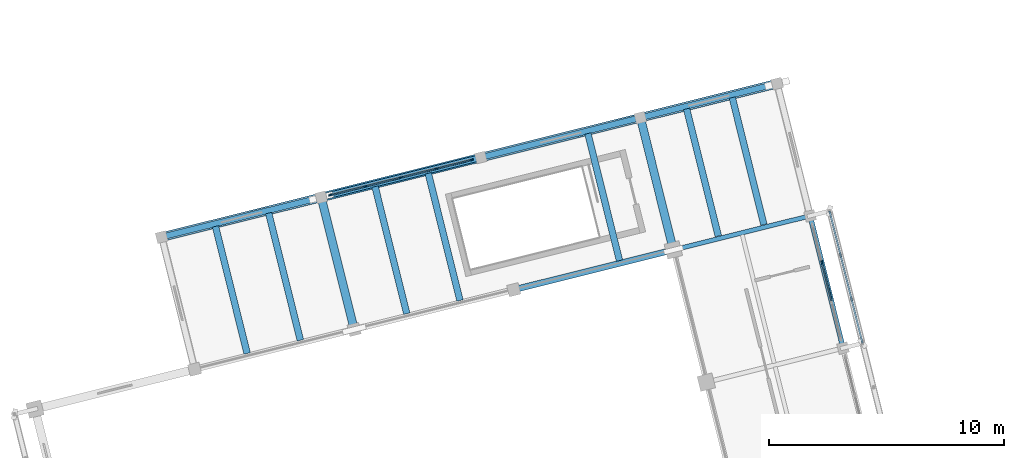
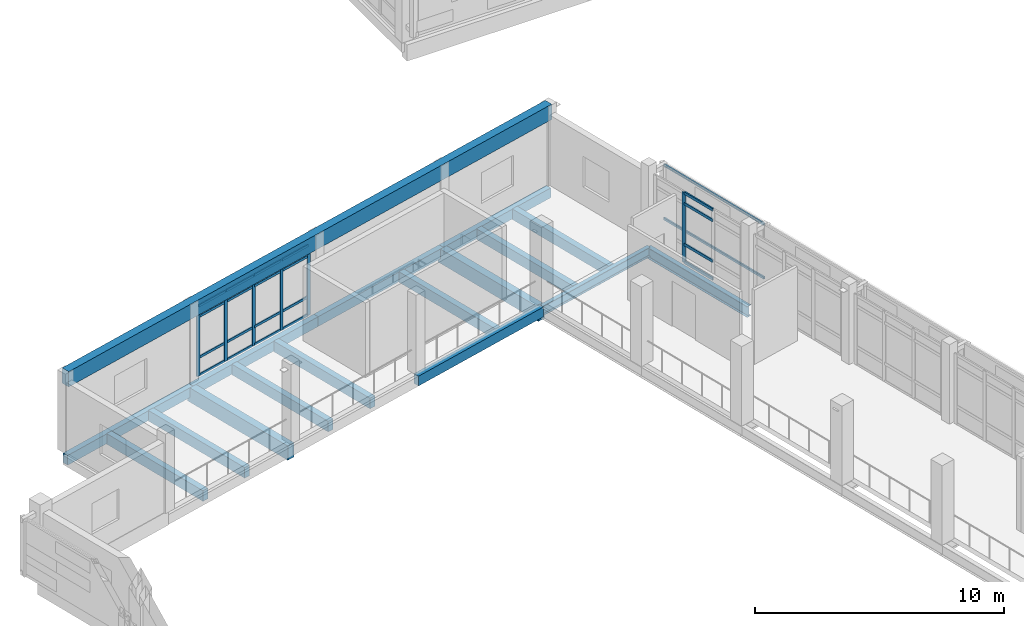
# One storey, part 38 of 117: 28 members, 17 beams, 2 elements without a shape of their own.
"""IFC4 building model written with IfcOpenShell, lengths in metres."""

from ifc_helpers import new_model, si_unit, direction, frame, origin, origin_2d, place, context, subcontext, project, spatial, rectangle, hollow_rectangle, i_section, extrude, material, material_profile, profile_set, type_object, element, aggregate, save


model = new_model("IFC4")

# Units and contexts
model_context = context("Model", 3, precision=1e-05, world=origin(), true_north=direction((0.0, 1.0)))
body_context = subcontext(model_context, "Body", "Model", "MODEL_VIEW")
ifc_project = project(units=[si_unit("LENGTHUNIT", "METRE"), si_unit("AREAUNIT", "SQUARE_METRE"), si_unit("VOLUMEUNIT", "CUBIC_METRE"), si_unit("PLANEANGLEUNIT", "RADIAN"), si_unit("MASSUNIT", "GRAM", prefix="KILO")], contexts=[model_context])

# Site, building, storey
site_placement = place(None, origin())
site = spatial("IfcSite", under=ifc_project, at=site_placement, CompositionType="ELEMENT")
building_placement = place(site_placement, origin())
building = spatial("IfcBuilding", under=site, at=building_placement, Name="Cinderway Yard Community Centre", CompositionType="ELEMENT")
storey_placement = place(building_placement, frame((0.0, 0.0, 9.0)))
storey = spatial("IfcBuildingStorey", under=building, at=storey_placement, Name="L02", CompositionType="ELEMENT", Elevation=9.0)

# Curtain wall, members
ifc_material_1 = material(Name="Aluminium 6063-T6", Category="aluminium")
curtain_wall_type_1 = type_object("IfcCurtainWallType", Name="ENV-CW-TYPE-08", PredefinedType="USERDEFINED", material=ifc_material_1)
curtain_wall_1_placement = place(storey_placement, origin())
curtain_wall_1 = element("IfcCurtainWall", 1, at=curtain_wall_1_placement, inside=storey, type_object=curtain_wall_type_1, Name="Choir North Curtain Wall ENV-CW-L02-ST-0029", ObjectType="GLAZED CURTAIN WALL", PredefinedType="USERDEFINED")
ifc_material_profile_1 = material_profile(ifc_material_1, rectangle(XDim=0.06005859375, YDim=0.159912109375, at=origin_2d()), Name="Aluminium 6063-T6")
ifc_profile_set_1 = profile_set([ifc_material_profile_1], Name="Aluminium 6063-T6")
member_type_1 = type_object("IfcMemberType", Name="ENV-CW-MULL-150", PredefinedType="MULLION", material=ifc_profile_set_1)
member_1_placement = place(storey_placement, frame((22.566162109375, 73.624267578125, 0.0), z_axis=(0.0, 0.0, 1.0), x_axis=(-0.242007641009, 0.97027434352, 0.0)))
member_1 = element("IfcMember", 2, at=member_1_placement, type_object=member_type_1, Name="CW-08 mullion 1", PredefinedType="MULLION", context=body_context, shape_type="SweptSolid", body=[
    extrude(rectangle(XDim=0.06005859375, YDim=0.159912109375, at=origin_2d()), origin(), (0.0, 0.0, 1.0), 3.449951171875),
])
member_2_placement = place(storey_placement, frame((24.050537109375, 73.994384765625, 0.0), z_axis=(0.0, 0.0, 1.0), x_axis=(-0.242007641009, 0.97027434352, 0.0)))
member_2 = element("IfcMember", 3, at=member_2_placement, type_object=member_type_1, Name="CW-08 mullion 2", PredefinedType="MULLION", context=body_context, shape_type="SweptSolid", body=[
    extrude(rectangle(XDim=0.06005859375, YDim=0.159912109375, at=origin_2d()), origin(), (0.0, 0.0, 1.0), 3.449951171875),
])
member_3_placement = place(storey_placement, frame((25.56396484375, 74.3720703125, 0.0), z_axis=(0.0, 0.0, 1.0), x_axis=(-0.242007641009, 0.97027434352, 0.0)))
member_3 = element("IfcMember", 4, at=member_3_placement, type_object=member_type_1, Name="CW-08 mullion 3", PredefinedType="MULLION", context=body_context, shape_type="SweptSolid", body=[
    extrude(rectangle(XDim=0.06005859375, YDim=0.159912109375, at=origin_2d()), origin(), (0.0, 0.0, 1.0), 3.449951171875),
])
member_4_placement = place(storey_placement, frame((27.077392578125, 74.74951171875, 0.0), z_axis=(0.0, 0.0, 1.0), x_axis=(-0.242007641009, 0.97027434352, 0.0)))
member_4 = element("IfcMember", 5, at=member_4_placement, type_object=member_type_1, Name="CW-08 mullion 4", PredefinedType="MULLION", context=body_context, shape_type="SweptSolid", body=[
    extrude(rectangle(XDim=0.06005859375, YDim=0.159912109375, at=origin_2d()), origin(), (0.0, 0.0, 1.0), 3.449951171875),
])
member_5_placement = place(storey_placement, frame((28.56201171875, 75.11962890625, 0.0), z_axis=(0.0, 0.0, 1.0), x_axis=(-0.242007641009, 0.97027434352, 0.0)))
member_5 = element("IfcMember", 6, at=member_5_placement, type_object=member_type_1, Name="CW-08 mullion 5", PredefinedType="MULLION", context=body_context, shape_type="SweptSolid", body=[
    extrude(rectangle(XDim=0.06005859375, YDim=0.159912109375, at=origin_2d()), origin(), (0.0, 0.0, 1.0), 3.449951171875),
])

# Curtain wall, member
curtain_wall_type_2 = type_object("IfcCurtainWallType", Name="ENV-CW-TYPE-07", PredefinedType="USERDEFINED", material=ifc_material_1)
curtain_wall_2_placement = place(storey_placement, origin())
curtain_wall_2 = element("IfcCurtainWall", 7, at=curtain_wall_2_placement, inside=storey, type_object=curtain_wall_type_2, Name="Main Hall Courtyard Curtain Wall ENV-CW-L02-HS-0026", ObjectType="GLAZED CURTAIN WALL", PredefinedType="USERDEFINED")
ifc_material_profile_2 = material_profile(ifc_material_1, rectangle(XDim=0.06494140625, YDim=0.179931640625, at=origin_2d()), Name="Aluminium 6063-T6")
ifc_profile_set_2 = profile_set([ifc_material_profile_2], Name="Aluminium 6063-T6")
member_type_2 = type_object("IfcMemberType", Name="ENV-CW-MULL-180", PredefinedType="MULLION", material=ifc_profile_set_2)
member_6_placement = place(storey_placement, frame((43.47412109375, 70.74365234375, 0.0), z_axis=(0.0, 0.0, 1.0), x_axis=(-0.970258158409, -0.242072522276, 0.0)))
member_6 = element("IfcMember", 8, at=member_6_placement, type_object=member_type_2, Name="CW-07 mullion 3", PredefinedType="MULLION", context=body_context, shape_type="SweptSolid", body=[
    extrude(rectangle(XDim=0.06494140625, YDim=0.179931640625, at=origin_2d()), origin(), (0.0, 0.0, 1.0), 3.449951171875),
])

# Member
ifc_material_profile_3 = material_profile(ifc_material_1, rectangle(XDim=0.06005859375, YDim=0.1201171875, at=origin_2d()), Name="Aluminium 6063-T6")
ifc_profile_set_3 = profile_set([ifc_material_profile_3], Name="Aluminium 6063-T6")
member_type_3 = type_object("IfcMemberType", Name="ENV-CW-TRAN-110", PredefinedType="USERDEFINED", material=ifc_profile_set_3)
member_7_placement = place(storey_placement, frame((22.59521484375, 73.631591796875, 0.030029296875), z_axis=(0.970279123245, 0.241988476989, 0.0), x_axis=(-0.241988476989, 0.970279123245, 0.0)))
member_7 = element("IfcMember", 9, at=member_7_placement, type_object=member_type_3, Name="CW-08 transom 1.1", ObjectType="TRANSOM", PredefinedType="USERDEFINED", context=body_context, shape_type="SweptSolid", body=[
    extrude(rectangle(XDim=0.06005859375, YDim=0.1201171875, at=origin_2d()), origin(), (0.0, 0.0, 1.0), 1.469970703125),
])

member_8_placement = place(storey_placement, frame((22.59521484375, 73.631591796875, 0.89990234375), z_axis=(0.970279123245, 0.241988476989, 0.0), x_axis=(-0.241988476989, 0.970279123245, 0.0)))
member_8 = element("IfcMember", 10, at=member_8_placement, type_object=member_type_3, Name="CW-08 transom 1.2", ObjectType="TRANSOM", PredefinedType="USERDEFINED", context=body_context, shape_type="SweptSolid", body=[
    extrude(rectangle(XDim=0.06005859375, YDim=0.1201171875, at=origin_2d()), origin(), (0.0, 0.0, 1.0), 1.469970703125),
])

member_9_placement = place(storey_placement, frame((22.59521484375, 73.631591796875, 2.89990234375), z_axis=(0.970279123245, 0.241988476989, 0.0), x_axis=(-0.241988476989, 0.970279123245, 0.0)))
member_9 = element("IfcMember", 11, at=member_9_placement, type_object=member_type_3, Name="CW-08 transom 1.3", ObjectType="TRANSOM", PredefinedType="USERDEFINED", context=body_context, shape_type="SweptSolid", body=[
    extrude(rectangle(XDim=0.06005859375, YDim=0.1201171875, at=origin_2d()), origin(), (0.0, 0.0, 1.0), 1.469970703125),
])

member_10_placement = place(storey_placement, frame((22.59521484375, 73.631591796875, 3.419921875), z_axis=(0.970279123245, 0.241988476989, 0.0), x_axis=(-0.241988476989, 0.970279123245, 0.0)))
member_10 = element("IfcMember", 12, at=member_10_placement, type_object=member_type_3, Name="CW-08 transom 1.4", ObjectType="TRANSOM", PredefinedType="USERDEFINED", context=body_context, shape_type="SweptSolid", body=[
    extrude(rectangle(XDim=0.06005859375, YDim=0.1201171875, at=origin_2d()), origin(), (0.0, 0.0, 1.0), 1.469970703125),
])

member_11_placement = place(storey_placement, frame((24.07958984375, 74.001708984375, 0.030029296875), z_axis=(0.970266842906, 0.242037711022, 0.0), x_axis=(-0.242037711022, 0.970266842906, 0.0)))
member_11 = element("IfcMember", 13, at=member_11_placement, type_object=member_type_3, Name="CW-08 transom 2.1", ObjectType="TRANSOM", PredefinedType="USERDEFINED", context=body_context, shape_type="SweptSolid", body=[
    extrude(rectangle(XDim=0.06005859375, YDim=0.1201171875, at=origin_2d()), origin(), (0.0, 0.0, 1.0), 1.5),
])

member_12_placement = place(storey_placement, frame((24.07958984375, 74.001708984375, 0.89990234375), z_axis=(0.970266842906, 0.242037711022, 0.0), x_axis=(-0.242037711022, 0.970266842906, 0.0)))
member_12 = element("IfcMember", 14, at=member_12_placement, type_object=member_type_3, Name="CW-08 transom 2.2", ObjectType="TRANSOM", PredefinedType="USERDEFINED", context=body_context, shape_type="SweptSolid", body=[
    extrude(rectangle(XDim=0.06005859375, YDim=0.1201171875, at=origin_2d()), origin(), (0.0, 0.0, 1.0), 1.5),
])

member_13_placement = place(storey_placement, frame((24.07958984375, 74.001708984375, 2.89990234375), z_axis=(0.970266842906, 0.242037711022, 0.0), x_axis=(-0.242037711022, 0.970266842906, 0.0)))
member_13 = element("IfcMember", 15, at=member_13_placement, type_object=member_type_3, Name="CW-08 transom 2.3", ObjectType="TRANSOM", PredefinedType="USERDEFINED", context=body_context, shape_type="SweptSolid", body=[
    extrude(rectangle(XDim=0.06005859375, YDim=0.1201171875, at=origin_2d()), origin(), (0.0, 0.0, 1.0), 1.5),
])

member_14_placement = place(storey_placement, frame((24.07958984375, 74.001708984375, 3.419921875), z_axis=(0.970266842906, 0.242037711022, 0.0), x_axis=(-0.242037711022, 0.970266842906, 0.0)))
member_14 = element("IfcMember", 16, at=member_14_placement, type_object=member_type_3, Name="CW-08 transom 2.4", ObjectType="TRANSOM", PredefinedType="USERDEFINED", context=body_context, shape_type="SweptSolid", body=[
    extrude(rectangle(XDim=0.06005859375, YDim=0.1201171875, at=origin_2d()), origin(), (0.0, 0.0, 1.0), 1.5),
])

member_15_placement = place(storey_placement, frame((25.593017578125, 74.379150390625, 0.030029296875), z_axis=(0.970266842906, 0.242037711022, 0.0), x_axis=(-0.242037711022, 0.970266842906, 0.0)))
member_15 = element("IfcMember", 17, at=member_15_placement, type_object=member_type_3, Name="CW-08 transom 3.1", ObjectType="TRANSOM", PredefinedType="USERDEFINED", context=body_context, shape_type="SweptSolid", body=[
    extrude(rectangle(XDim=0.06005859375, YDim=0.1201171875, at=origin_2d()), origin(), (0.0, 0.0, 1.0), 1.5),
])

member_16_placement = place(storey_placement, frame((25.593017578125, 74.379150390625, 0.89990234375), z_axis=(0.970266842906, 0.242037711022, 0.0), x_axis=(-0.242037711022, 0.970266842906, 0.0)))
member_16 = element("IfcMember", 18, at=member_16_placement, type_object=member_type_3, Name="CW-08 transom 3.2", ObjectType="TRANSOM", PredefinedType="USERDEFINED", context=body_context, shape_type="SweptSolid", body=[
    extrude(rectangle(XDim=0.06005859375, YDim=0.1201171875, at=origin_2d()), origin(), (0.0, 0.0, 1.0), 1.5),
])

member_17_placement = place(storey_placement, frame((25.593017578125, 74.379150390625, 2.89990234375), z_axis=(0.970266842906, 0.242037711022, 0.0), x_axis=(-0.242037711022, 0.970266842906, 0.0)))
member_17 = element("IfcMember", 19, at=member_17_placement, type_object=member_type_3, Name="CW-08 transom 3.3", ObjectType="TRANSOM", PredefinedType="USERDEFINED", context=body_context, shape_type="SweptSolid", body=[
    extrude(rectangle(XDim=0.06005859375, YDim=0.1201171875, at=origin_2d()), origin(), (0.0, 0.0, 1.0), 1.5),
])

member_18_placement = place(storey_placement, frame((25.593017578125, 74.379150390625, 3.419921875), z_axis=(0.970266842906, 0.242037711022, 0.0), x_axis=(-0.242037711022, 0.970266842906, 0.0)))
member_18 = element("IfcMember", 20, at=member_18_placement, type_object=member_type_3, Name="CW-08 transom 3.4", ObjectType="TRANSOM", PredefinedType="USERDEFINED", context=body_context, shape_type="SweptSolid", body=[
    extrude(rectangle(XDim=0.06005859375, YDim=0.1201171875, at=origin_2d()), origin(), (0.0, 0.0, 1.0), 1.5),
])

member_19_placement = place(storey_placement, frame((27.106689453125, 74.7568359375, 0.030029296875), z_axis=(0.970269395112, 0.242027479657, 0.0), x_axis=(-0.242027479657, 0.970269395112, 0.0)))
member_19 = element("IfcMember", 21, at=member_19_placement, type_object=member_type_3, Name="CW-08 transom 4.1", ObjectType="TRANSOM", PredefinedType="USERDEFINED", context=body_context, shape_type="SweptSolid", body=[
    extrude(rectangle(XDim=0.06005859375, YDim=0.1201171875, at=origin_2d()), origin(), (0.0, 0.0, 1.0), 1.4697265625),
])

member_20_placement = place(storey_placement, frame((27.106689453125, 74.7568359375, 0.89990234375), z_axis=(0.970269395112, 0.242027479657, 0.0), x_axis=(-0.242027479657, 0.970269395112, 0.0)))
member_20 = element("IfcMember", 22, at=member_20_placement, type_object=member_type_3, Name="CW-08 transom 4.2", ObjectType="TRANSOM", PredefinedType="USERDEFINED", context=body_context, shape_type="SweptSolid", body=[
    extrude(rectangle(XDim=0.06005859375, YDim=0.1201171875, at=origin_2d()), origin(), (0.0, 0.0, 1.0), 1.4697265625),
])

member_21_placement = place(storey_placement, frame((27.106689453125, 74.7568359375, 2.89990234375), z_axis=(0.970269395112, 0.242027479657, 0.0), x_axis=(-0.242027479657, 0.970269395112, 0.0)))
member_21 = element("IfcMember", 23, at=member_21_placement, type_object=member_type_3, Name="CW-08 transom 4.3", ObjectType="TRANSOM", PredefinedType="USERDEFINED", context=body_context, shape_type="SweptSolid", body=[
    extrude(rectangle(XDim=0.06005859375, YDim=0.1201171875, at=origin_2d()), origin(), (0.0, 0.0, 1.0), 1.4697265625),
])

member_22_placement = place(storey_placement, frame((27.106689453125, 74.7568359375, 3.419921875), z_axis=(0.970269395112, 0.242027479657, 0.0), x_axis=(-0.242027479657, 0.970269395112, 0.0)))
member_22 = element("IfcMember", 24, at=member_22_placement, type_object=member_type_3, Name="CW-08 transom 4.4", ObjectType="TRANSOM", PredefinedType="USERDEFINED", context=body_context, shape_type="SweptSolid", body=[
    extrude(rectangle(XDim=0.06005859375, YDim=0.1201171875, at=origin_2d()), origin(), (0.0, 0.0, 1.0), 1.4697265625),
])

aggregate(curtain_wall_1, [member_1, member_2, member_3, member_4, member_5, member_7, member_8, member_9, member_10, member_11, member_12, member_13, member_14, member_15, member_16, member_17, member_18, member_19, member_20, member_21, member_22])

ifc_material_profile_4 = material_profile(ifc_material_1, rectangle(XDim=0.06494140625, YDim=0.139892578125, at=origin_2d()), Name="Aluminium 6063-T6")
ifc_profile_set_4 = profile_set([ifc_material_profile_4], Name="Aluminium 6063-T6")
member_type_4 = type_object("IfcMemberType", Name="ENV-CW-TRAN-140", PredefinedType="USERDEFINED", material=ifc_profile_set_4)
member_23_placement = place(storey_placement, frame((43.876708984375, 69.12939453125, 0.030029296875), z_axis=(-0.242078514502, 0.970256663371, 0.0), x_axis=(-0.970256663371, -0.242078514502, 0.0)))
member_23 = element("IfcMember", 25, at=member_23_placement, type_object=member_type_4, Name="CW-07 transom 2.1", ObjectType="TRANSOM", PredefinedType="USERDEFINED", context=body_context, shape_type="SweptSolid", body=[
    extrude(rectangle(XDim=0.06494140625, YDim=0.139892578125, at=origin_2d()), origin(), (0.0, 0.0, 1.0), 1.6337890625),
])

member_24_placement = place(storey_placement, frame((43.876708984375, 69.12939453125, 0.89990234375), z_axis=(-0.242078514502, 0.970256663371, 0.0), x_axis=(-0.970256663371, -0.242078514502, 0.0)))
member_24 = element("IfcMember", 26, at=member_24_placement, type_object=member_type_4, Name="CW-07 transom 2.2", ObjectType="TRANSOM", PredefinedType="USERDEFINED", context=body_context, shape_type="SweptSolid", body=[
    extrude(rectangle(XDim=0.06494140625, YDim=0.139892578125, at=origin_2d()), origin(), (0.0, 0.0, 1.0), 1.6337890625),
])

member_25_placement = place(storey_placement, frame((43.876708984375, 69.12939453125, 2.89990234375), z_axis=(-0.242078514502, 0.970256663371, 0.0), x_axis=(-0.970256663371, -0.242078514502, 0.0)))
member_25 = element("IfcMember", 27, at=member_25_placement, type_object=member_type_4, Name="CW-07 transom 2.3", ObjectType="TRANSOM", PredefinedType="USERDEFINED", context=body_context, shape_type="SweptSolid", body=[
    extrude(rectangle(XDim=0.06494140625, YDim=0.139892578125, at=origin_2d()), origin(), (0.0, 0.0, 1.0), 1.6337890625),
])

member_26_placement = place(storey_placement, frame((43.876708984375, 69.12939453125, 3.419921875), z_axis=(-0.242078514502, 0.970256663371, 0.0), x_axis=(-0.970256663371, -0.242078514502, 0.0)))
member_26 = element("IfcMember", 28, at=member_26_placement, type_object=member_type_4, Name="CW-07 transom 2.4", ObjectType="TRANSOM", PredefinedType="USERDEFINED", context=body_context, shape_type="SweptSolid", body=[
    extrude(rectangle(XDim=0.06494140625, YDim=0.139892578125, at=origin_2d()), origin(), (0.0, 0.0, 1.0), 1.6337890625),
])

aggregate(curtain_wall_2, [member_6, member_23, member_24, member_25, member_26])

# Members
ifc_material_2 = material(Name="Steel S355", Category="steel")
ifc_material_profile_5 = material_profile(ifc_material_2, hollow_rectangle(XDim=0.080078125, YDim=0.1201171875, WallThickness=0.00634765625, InnerFilletRadius=0.00634765625, OuterFilletRadius=0.0126953125, at=origin_2d()), Name="Steel S355")
ifc_profile_set_5 = profile_set([ifc_material_profile_5], Name="Steel S355")
member_type_5 = type_object("IfcMemberType", Name="ENV-MEM-SCREEN-RAIL-120", PredefinedType="STRINGER", material=ifc_profile_set_5)
for number, where, z_axis, x_axis, name in (
    (29, (45.2060546875, 67.31396484375, 0.7099609375), (-0.242060225261, 0.970261226344, 0.0), (-0.970261226344, -0.242060225261, 0.0), "Screen support rail 0934-BOT"),
    (30, (45.2060546875, 67.31396484375, 3.340087890625), (-0.242060225261, 0.970261226344, 0.0), (-0.970261226344, -0.242060225261, 0.0), "Screen support rail 0935-TOP"),
):
    element("IfcMember", number, at=place(storey_placement, frame(where, z_axis=z_axis, x_axis=x_axis)), inside=storey, type_object=member_type_5, Name=name, PredefinedType="STRINGER", context=body_context, shape_type="SweptSolid", body=[
        extrude(hollow_rectangle(XDim=0.080078125, YDim=0.1201171875, WallThickness=0.00634765625, InnerFilletRadius=0.00634765625, OuterFilletRadius=0.0126953125, at=origin_2d()), origin(), (0.0, 0.0, 1.0), 5.800537109375),
    ])

# Beams
ifc_material_3 = material(Name="Concrete C40/50", Category="concrete")
ifc_material_profile_6 = material_profile(ifc_material_3, rectangle(XDim=0.260009765625, YDim=0.47998046875, at=origin_2d()), Name="Concrete C40/50")
ifc_profile_set_6 = profile_set([ifc_material_profile_6], Name="Concrete C40/50")
beam_type_1 = type_object("IfcBeamType", Name="STR-BM-RC260X480", PredefinedType="SPANDREL", material=ifc_profile_set_6)
beam_1_placement = place(storey_placement, frame((30.364013671875, 69.591064453125, -0.47998046875), z_axis=(0.970281848186, 0.24197755078, 0.0), x_axis=(-0.24197755078, 0.970281848186, 0.0)))
element("IfcBeam", 31, at=beam_1_placement, inside=storey, type_object=beam_type_1, Name="Primary girder STR-BM-L02-SP01-0371", PredefinedType="SPANDREL", context=body_context, shape_type="SweptSolid", body=[
    extrude(rectangle(XDim=0.260009765625, YDim=0.47998046875, at=origin_2d()), origin(), (0.0, 0.0, 1.0), 7.0),
])
beam_2_placement = place(storey_placement, frame((15.3759765625, 71.83203125, -0.47998046875), z_axis=(0.970314595111, 0.241846204259, 0.0), x_axis=(-0.241846204259, 0.970314595111, 0.0)))
element("IfcBeam", 32, at=beam_2_placement, inside=storey, type_object=beam_type_1, Name="Primary girder STR-BM-L02-SP01-0372", PredefinedType="SPANDREL", context=body_context, shape_type="SweptSolid", body=[
    extrude(rectangle(XDim=0.260009765625, YDim=0.47998046875, at=origin_2d()), origin(), (0.0, 0.0, 1.0), 6.999755859375),
])
beam_3_placement = place(storey_placement, frame((22.16796875, 73.52490234375, -0.47998046875), z_axis=(0.970273659022, 0.242010385333, 0.0), x_axis=(-0.242010385333, 0.970273659022, 0.0)))
element("IfcBeam", 33, at=beam_3_placement, inside=storey, type_object=beam_type_1, Name="Primary girder STR-BM-L02-SP01-0373", PredefinedType="SPANDREL", context=body_context, shape_type="SweptSolid", body=[
    extrude(rectangle(XDim=0.260009765625, YDim=0.47998046875, at=origin_2d()), origin(), (0.0, 0.0, 1.0), 7.0),
])
beam_4_placement = place(storey_placement, frame((28.9599609375, 75.218994140625, -0.47998046875), z_axis=(0.970314570401, 0.241846303398, 0.0), x_axis=(-0.241846303398, 0.970314570401, 0.0)))
element("IfcBeam", 34, at=beam_4_placement, inside=storey, type_object=beam_type_1, Name="Primary girder STR-BM-L02-SP01-0374", PredefinedType="SPANDREL", context=body_context, shape_type="SweptSolid", body=[
    extrude(rectangle(XDim=0.260009765625, YDim=0.47998046875, at=origin_2d()), origin(), (0.0, 0.0, 1.0), 7.000732421875),
])
beam_5_placement = place(storey_placement, frame((35.7529296875, 76.912109375, -0.47998046875), z_axis=(0.970274015212, 0.242008957282, 0.0), x_axis=(-0.242008957282, 0.970274015212, 0.0)))
element("IfcBeam", 35, at=beam_5_placement, inside=storey, type_object=beam_type_1, Name="Primary girder STR-BM-L02-SP01-0375", PredefinedType="SPANDREL", context=body_context, shape_type="SweptSolid", body=[
    extrude(rectangle(XDim=0.260009765625, YDim=0.47998046875, at=origin_2d()), origin(), (0.0, 0.0, 1.0), 5.999267578125),
])
ifc_material_4 = material(Name="Concrete C35/45", Category="concrete")
ifc_material_profile_7 = material_profile(ifc_material_4, rectangle(XDim=0.280029296875, YDim=0.52001953125, at=origin_2d()), Name="Concrete C35/45")
ifc_profile_set_7 = profile_set([ifc_material_profile_7], Name="Concrete C35/45")
beam_type_2 = type_object("IfcBeamType", Name="STR-BM-RC280X520", PredefinedType="JOIST", material=ifc_profile_set_7)
beam_6_placement = place(storey_placement, frame((19.01611328125, 66.876953125, -0.5), z_axis=(-0.241917532688, 0.970296814062, 0.0), x_axis=(-0.970296814062, -0.241917532688, 0.0)))
element("IfcBeam", 36, at=beam_6_placement, inside=storey, type_object=beam_type_2, Name="Secondary joist STR-BM-L02-BJ04-0380", PredefinedType="JOIST", context=body_context, shape_type="SweptSolid", body=[
    extrude(rectangle(XDim=0.280029296875, YDim=0.52001953125, at=origin_2d()), origin(), (0.0, 0.0, 1.0), 5.57666015625),
])
beam_7_placement = place(storey_placement, frame((21.280029296875, 67.44189453125, -0.5), z_axis=(-0.241958643865, 0.970286563165, 0.0), x_axis=(-0.970286563165, -0.241958643865, 0.0)))
element("IfcBeam", 37, at=beam_7_placement, inside=storey, type_object=beam_type_2, Name="Secondary joist STR-BM-L02-BJ04-0381", PredefinedType="JOIST", context=body_context, shape_type="SweptSolid", body=[
    extrude(rectangle(XDim=0.280029296875, YDim=0.52001953125, at=origin_2d()), origin(), (0.0, 0.0, 1.0), 5.575927734375),
])
beam_8_placement = place(storey_placement, frame((25.80810546875, 68.571044921875, -0.5), z_axis=(-0.24180401869, 0.970325108685, 0.0), x_axis=(-0.970325108685, -0.24180401869, 0.0)))
element("IfcBeam", 38, at=beam_8_placement, inside=storey, type_object=beam_type_2, Name="Secondary joist STR-BM-L02-BJ04-0382", PredefinedType="JOIST", context=body_context, shape_type="SweptSolid", body=[
    extrude(rectangle(XDim=0.280029296875, YDim=0.52001953125, at=origin_2d()), origin(), (0.0, 0.0, 1.0), 5.575439453125),
])
beam_9_placement = place(storey_placement, frame((28.072998046875, 69.135009765625, -0.5), z_axis=(-0.241886591041, 0.970304528009, 0.0), x_axis=(-0.970304528009, -0.241886591041, 0.0)))
element("IfcBeam", 39, at=beam_9_placement, inside=storey, type_object=beam_type_2, Name="Secondary joist STR-BM-L02-BJ04-0383", PredefinedType="JOIST", context=body_context, shape_type="SweptSolid", body=[
    extrude(rectangle(XDim=0.280029296875, YDim=0.52001953125, at=origin_2d()), origin(), (0.0, 0.0, 1.0), 5.576416015625),
])
beam_10_placement = place(storey_placement, frame((34.864990234375, 70.8291015625, -0.5), z_axis=(-0.241927699469, 0.97029427919, 0.0), x_axis=(-0.97029427919, -0.241927699469, 0.0)))
element("IfcBeam", 40, at=beam_10_placement, inside=storey, type_object=beam_type_2, Name="Secondary joist STR-BM-L02-BJ04-0384", PredefinedType="JOIST", context=body_context, shape_type="SweptSolid", body=[
    extrude(rectangle(XDim=0.280029296875, YDim=0.52001953125, at=origin_2d()), origin(), (0.0, 0.0, 1.0), 5.575439453125),
])
beam_11_placement = place(storey_placement, frame((39.069091796875, 71.876953125, -0.5), z_axis=(-0.241917532688, 0.970296814062, 0.0), x_axis=(-0.970296814062, -0.241917532688, 0.0)))
element("IfcBeam", 41, at=beam_11_placement, inside=storey, type_object=beam_type_2, Name="Secondary joist STR-BM-L02-BJ04-0385", PredefinedType="JOIST", context=body_context, shape_type="SweptSolid", body=[
    extrude(rectangle(XDim=0.280029296875, YDim=0.52001953125, at=origin_2d()), origin(), (0.0, 0.0, 1.0), 5.57666015625),
])
beam_12_placement = place(storey_placement, frame((41.010009765625, 72.361083984375, -0.5), z_axis=(-0.241968923775, 0.970283999624, 0.0), x_axis=(-0.970283999624, -0.241968923775, 0.0)))
element("IfcBeam", 42, at=beam_12_placement, inside=storey, type_object=beam_type_2, Name="Secondary joist STR-BM-L02-BJ04-0386", PredefinedType="JOIST", context=body_context, shape_type="SweptSolid", body=[
    extrude(rectangle(XDim=0.280029296875, YDim=0.52001953125, at=origin_2d()), origin(), (0.0, 0.0, 1.0), 5.57568359375),
])
ifc_material_profile_8 = material_profile(ifc_material_4, rectangle(XDim=0.35009765625, YDim=0.699951171875, at=origin_2d()), Name="Concrete C35/45")
ifc_profile_set_8 = profile_set([ifc_material_profile_8], Name="Concrete C35/45")
beam_type_3 = type_object("IfcBeamType", Name="STR-BM-RC350X700", PredefinedType="BEAM", material=ifc_profile_set_8)
for number, where, z_axis, x_axis, name in (
    (43, (23.572021484375, 67.89794921875, -0.590087890625), (-0.242099772931, 0.970251359157, 0.0), (-0.970251359157, -0.242099772931, 0.0), "Transverse girder STR-BM-L02-BG07-0377"),
    (44, (37.156005859375, 71.284912109375, -0.590087890625), (-0.241931362474, 0.97029336587, 0.0), (-0.97029336587, -0.241931362474, 0.0), "Transverse girder STR-BM-L02-BG07-0378"),
):
    element("IfcBeam", number, at=place(storey_placement, frame(where, z_axis=z_axis, x_axis=x_axis)), inside=storey, type_object=beam_type_3, Name=name, PredefinedType="BEAM", context=body_context, shape_type="SweptSolid", body=[
        extrude(rectangle(XDim=0.35009765625, YDim=0.699951171875, at=origin_2d()), origin(), (0.0, 0.0, 1.0), 5.799560546875),
    ])
ifc_material_profile_9 = material_profile(ifc_material_4, rectangle(XDim=0.3798828125, YDim=0.75, at=origin_2d()), Name="Concrete C35/45")
ifc_profile_set_9 = profile_set([ifc_material_profile_9], Name="Concrete C35/45")
beam_type_4 = type_object("IfcBeamType", Name="STR-BM-RC380X750", PredefinedType="BEAM", material=ifc_profile_set_9)
beam_13_placement = place(storey_placement, frame((15.3759765625, 71.83203125, 3.52490234375), z_axis=(0.970294962161, 0.241924960279, 0.0), x_axis=(-0.241924960279, 0.970294962161, 0.0)))
element("IfcBeam", 45, at=beam_13_placement, inside=storey, type_object=beam_type_4, Name="V1 annex eave girder STR-BM-L02-BG06-1009", PredefinedType="BEAM", context=body_context, shape_type="SweptSolid", body=[
    extrude(rectangle(XDim=0.3798828125, YDim=0.75, at=origin_2d()), origin(), (0.0, 0.0, 1.0), 27.0),
])
ifc_material_profile_10 = material_profile(ifc_material_2, i_section(OverallWidth=0.19091796875, OverallDepth=0.4599609375, WebThickness=0.010009765625, FlangeThickness=0.014404296875, FilletRadius=0.012939453125, at=origin_2d()), Name="Steel S355")
ifc_profile_set_10 = profile_set([ifc_material_profile_10], Name="Steel S355")
beam_type_5 = type_object("IfcBeamType", Name="STR-BM-W460X82", PredefinedType="JOIST", material=ifc_profile_set_10)
beam_14_placement = place(storey_placement, frame((37.156005859375, 71.284912109375, -0.469970703125), z_axis=(0.970302676142, 0.241894019502, 0.0), x_axis=(-0.241894019502, 0.970302676142, 0.0)))
element("IfcBeam", 46, at=beam_14_placement, inside=storey, type_object=beam_type_5, Name="Primary girder STR-BM-L02-SJ01-0349", PredefinedType="JOIST", context=body_context, shape_type="SweptSolid", body=[
    extrude(i_section(OverallWidth=0.19091796875, OverallDepth=0.4599609375, WebThickness=0.010009765625, FlangeThickness=0.014404296875, FilletRadius=0.012939453125, at=origin_2d()), origin(), (0.0, 0.0, 1.0), 5.999267578125),
])
ifc_material_profile_11 = material_profile(ifc_material_2, i_section(OverallWidth=0.2109375, OverallDepth=0.5390625, WebThickness=0.010986328125, FlangeThickness=0.017333984375, FilletRadius=0.013916015625, at=origin_2d()), Name="Steel S355")
ifc_profile_set_11 = profile_set([ifc_material_profile_11], Name="Steel S355")
beam_type_6 = type_object("IfcBeamType", Name="STR-BM-W530X109", PredefinedType="BEAM", material=ifc_profile_set_11)
beam_15_placement = place(storey_placement, frame((44.381103515625, 67.10791015625, -0.510009765625), z_axis=(-0.242050340299, 0.970263692385, 0.0), x_axis=(-0.970263692385, -0.242050340299, 0.0)))
element("IfcBeam", 47, at=beam_15_placement, inside=storey, type_object=beam_type_6, Name="Transverse girder STR-BM-L02-SB06-0363", PredefinedType="BEAM", context=body_context, shape_type="SweptSolid", body=[
    extrude(i_section(OverallWidth=0.2109375, OverallDepth=0.5390625, WebThickness=0.010986328125, FlangeThickness=0.017333984375, FilletRadius=0.013916015625, at=origin_2d()), origin(), (0.0, 0.0, 1.0), 5.80078125),
])

save(model, "model.ifc")
